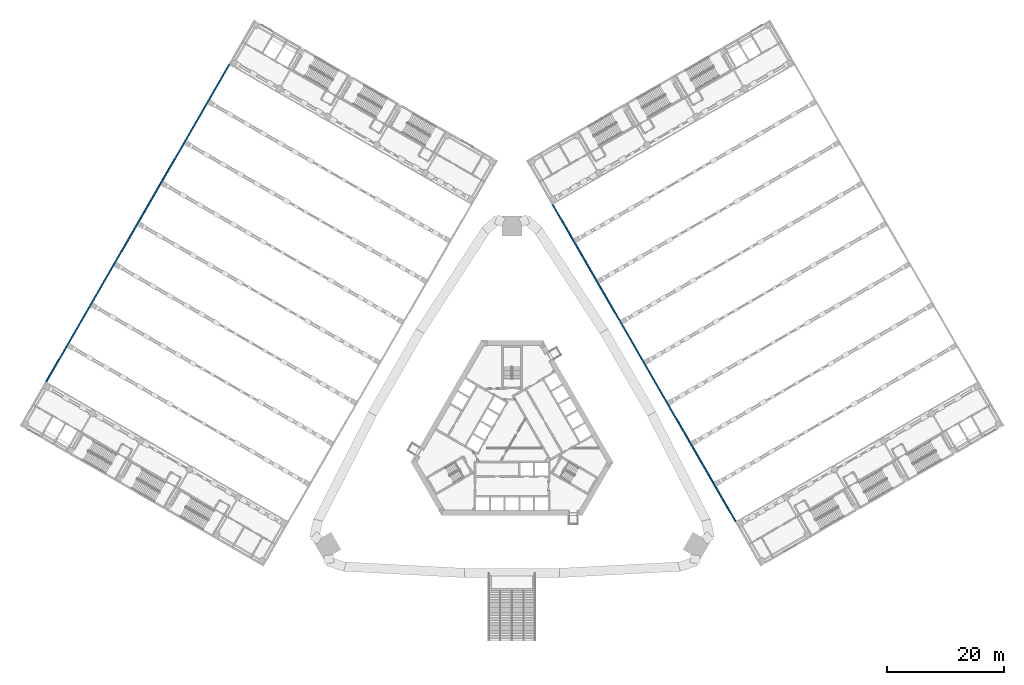
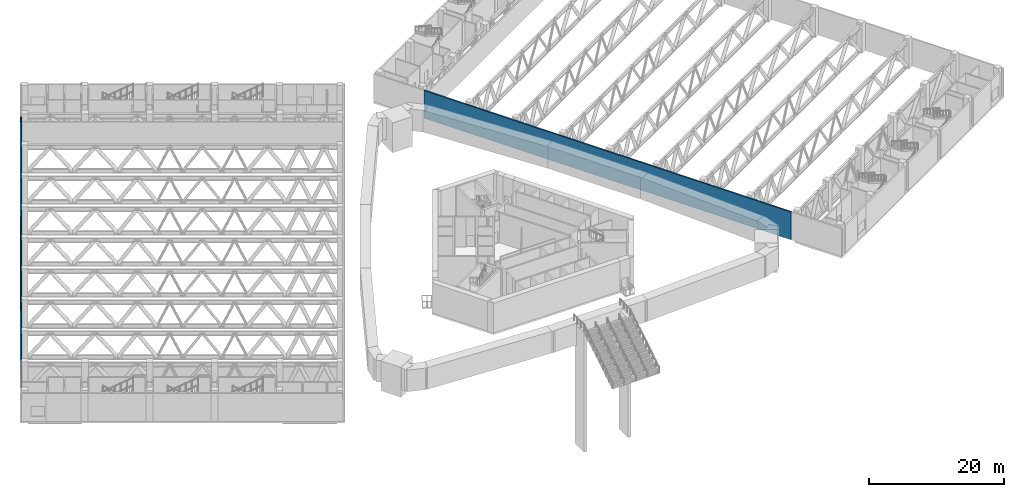
# One storey, part 19 of 37: 2 walls.
"""IFC4 building model written with IfcOpenShell, lengths in metres."""

from ifc_helpers import new_model, si_unit, direction, frame, frame_2d, origin, place, context, subcontext, project, spatial, rectangle, extrude, material, layer, layer_set, type_object, element, save


model = new_model("IFC4")

# Units and contexts
model_context = context("Model", 3, precision=1e-05, world=origin(), true_north=direction((0.0, 1.0)))
body_context = subcontext(model_context, "Body", "Model", "MODEL_VIEW")
ifc_project = project(units=[si_unit("LENGTHUNIT", "METRE"), si_unit("AREAUNIT", "SQUARE_METRE"), si_unit("VOLUMEUNIT", "CUBIC_METRE"), si_unit("PLANEANGLEUNIT", "RADIAN"), si_unit("MASSUNIT", "GRAM", prefix="KILO")], contexts=[model_context])

# Site, building, storey
site_placement = place(None, origin())
site = spatial("IfcSite", under=ifc_project, at=site_placement, CompositionType="ELEMENT")
building_placement = place(site_placement, origin())
building = spatial("IfcBuilding", under=site, at=building_placement, Name="Mestral Congress Tower", CompositionType="ELEMENT")
storey_placement = place(building_placement, frame((0.0, 0.0, 16.199951171875)))
storey = spatial("IfcBuildingStorey", under=building, at=storey_placement, Name="L03", CompositionType="ELEMENT", Elevation=16.199951171875)

# Walls
ifc_material = material(Name="Precast concrete C40/50 with limestone facing", Category="masonry")
ifc_layer = layer(ifc_material, 0.25)
ifc_layer_set = layer_set([ifc_layer], Name="Precast concrete C40/50 with limestone facing")
wall_type = type_object("IfcWallType", Name="Podium external wall 250", PredefinedType="SOLIDWALL", material=ifc_layer_set)
for number, where, z_axis, x_axis, name in (
    (1, (38.25, -14.14501953125, 0.0), (0.0, 0.0, 1.0), (-0.500000527961, 0.866025098966, 0.0), "L03 external wall"),
    (2, (-79.602783203125, 9.72998046875, 0.0), (0.0, 0.0, 1.0), (0.500000527961, 0.866025098966, 0.0), "L03 external wall"),
):
    element("IfcWall", number, at=place(storey_placement, frame(where, z_axis=z_axis, x_axis=x_axis)), inside=storey, type_object=wall_type, Name=name, PredefinedType="SOLIDWALL", context=body_context, shape_type="SweptSolid", body=[
        extrude(rectangle(XDim=62.75, YDim=0.25, at=frame_2d((31.375, 0.0))), origin(), (0.0, 0.0, 1.0), 5.0),
    ])

save(model, "model.ifc")
